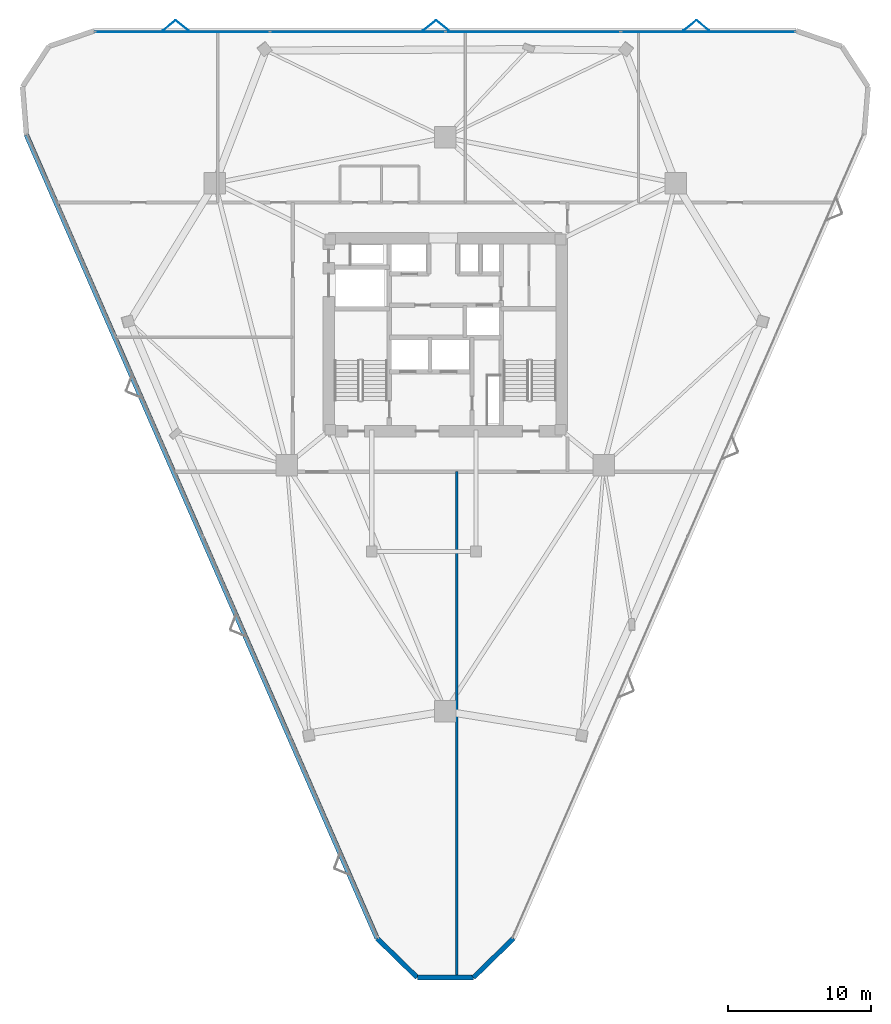
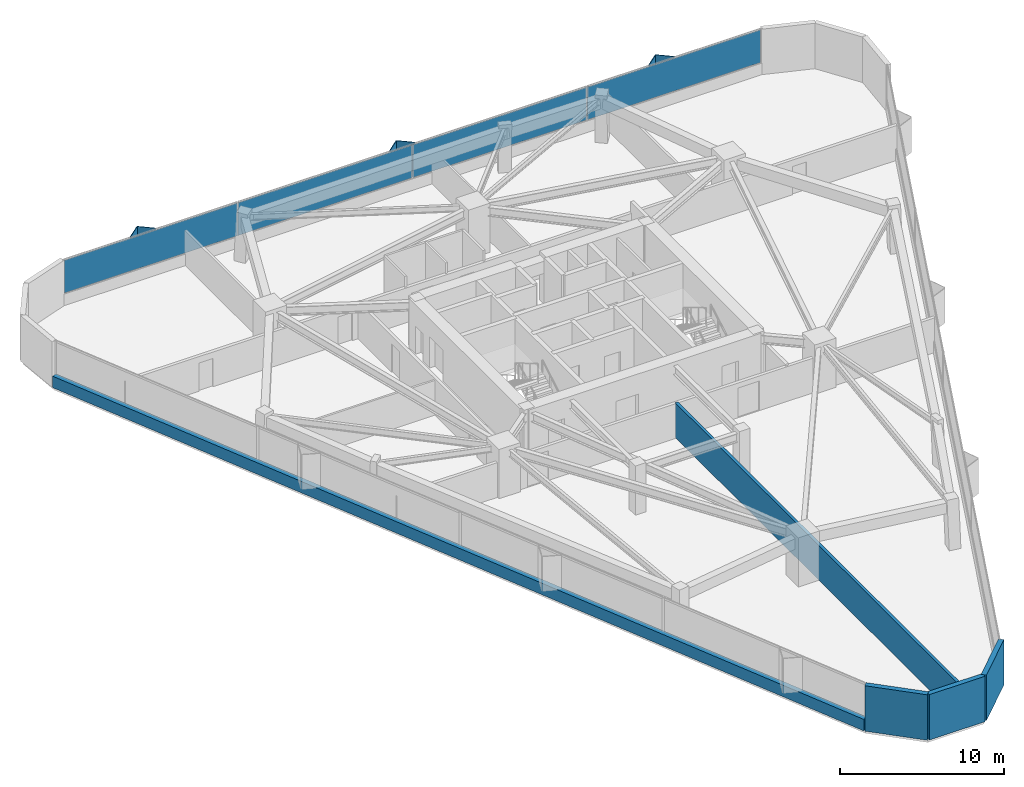
# One storey, part 11 of 14: 10 plates, 5 walls, 1 element without a shape of its own.
"""IFC4 building model written with IfcOpenShell, lengths in metres."""

from ifc_helpers import new_model, si_unit, direction, frame, frame_2d, origin, origin_2d, place, context, subcontext, project, spatial, rectangle, extrude, material, layer, layer_set, type_object, element, aggregate, save


model = new_model("IFC4")

# Units and contexts
model_context = context("Model", 3, precision=1e-05, world=origin(), true_north=direction((0.0, 1.0)))
body_context = subcontext(model_context, "Body", "Model", "MODEL_VIEW")
ifc_project = project(units=[si_unit("LENGTHUNIT", "METRE"), si_unit("AREAUNIT", "SQUARE_METRE"), si_unit("VOLUMEUNIT", "CUBIC_METRE"), si_unit("PLANEANGLEUNIT", "RADIAN"), si_unit("MASSUNIT", "GRAM", prefix="KILO")], contexts=[model_context])

# Site, building, storey
site_placement = place(None, origin())
site = spatial("IfcSite", under=ifc_project, at=site_placement, CompositionType="ELEMENT")
building_placement = place(site_placement, origin())
building = spatial("IfcBuilding", under=site, at=building_placement, Name="Talyreon Biosciences Tower", CompositionType="ELEMENT")
storey_placement = place(building_placement, frame((0.0, 0.0, 130.85009765625)))
storey = spatial("IfcBuildingStorey", under=building, at=storey_placement, Name="L34", CompositionType="ELEMENT", Elevation=130.85009765625)

# Curtain wall, plates
ifc_material_1 = material(Name="Thermally broken aluminium and low-E glazing", Category="aluminium")
ifc_layer_1 = layer(ifc_material_1, 0.18505859375)
ifc_layer_set_1 = layer_set([ifc_layer_1], Name="Thermally broken aluminium and low-E glazing")
curtain_wall_type = type_object("IfcCurtainWallType", Name="CurtainWall_Zone3Bioprocess", PredefinedType="NOTDEFINED", material=ifc_layer_set_1)
curtain_wall_placement = place(storey_placement, origin())
curtain_wall = element("IfcCurtainWall", 1, at=curtain_wall_placement, inside=storey, type_object=curtain_wall_type, Name="L34 Unitised Curtain Wall FCW-L34-04", PredefinedType="NOTDEFINED")
ifc_material_2 = material(Name="Triple-silver low-E insulated glazing", Category="glass")
ifc_layer_2 = layer(ifc_material_2, 0.031982421875)
ifc_layer_set_2 = layer_set([ifc_layer_2], Name="Triple-silver low-E insulated glazing")
plate_type_1 = type_object("IfcPlateType", Name="CWGlazingPanel_32", PredefinedType="CURTAIN_PANEL", material=ifc_layer_set_2)
plate_1_placement = place(storey_placement, frame((47.6240234375, 89.173095703125, 0.874755859375), z_axis=(0.0, 0.0, 1.0), x_axis=(1.0, 0.0, 0.0)))
plate_1 = element("IfcPlate", 2, at=plate_1_placement, type_object=plate_type_1, Name="CW4 panel 1.1", PredefinedType="CURTAIN_PANEL", context=body_context, shape_type="SweptSolid", body=[
    extrude(rectangle(XDim=12.1640625, YDim=0.031982421875, at=origin_2d()), origin(), (0.0, 0.0, 1.0), 2.43505859375),
])
plate_2_placement = place(storey_placement, frame((59.869140625, 89.173095703125, 0.874755859375), z_axis=(0.0, 0.0, 1.0), x_axis=(1.0, 0.0, 0.0)))
plate_2 = element("IfcPlate", 3, at=plate_2_placement, type_object=plate_type_1, Name="CW4 panel 2.1", PredefinedType="CURTAIN_PANEL", context=body_context, shape_type="SweptSolid", body=[
    extrude(rectangle(XDim=12.196533203125, YDim=0.031982421875, at=origin_2d()), origin(), (0.0, 0.0, 1.0), 2.43505859375),
])
plate_3_placement = place(storey_placement, frame((72.130859375, 89.173095703125, 0.874755859375), z_axis=(0.0, 0.0, 1.0), x_axis=(1.0, 0.0, 0.0)))
plate_3 = element("IfcPlate", 4, at=plate_3_placement, type_object=plate_type_1, Name="CW4 panel 3.1", PredefinedType="CURTAIN_PANEL", context=body_context, shape_type="SweptSolid", body=[
    extrude(rectangle(XDim=12.196533203125, YDim=0.031982421875, at=origin_2d()), origin(), (0.0, 0.0, 1.0), 2.43505859375),
])
plate_4_placement = place(storey_placement, frame((84.3759765625, 89.173095703125, 0.874755859375), z_axis=(0.0, 0.0, 1.0), x_axis=(1.0, 0.0, 0.0)))
plate_4 = element("IfcPlate", 5, at=plate_4_placement, type_object=plate_type_1, Name="CW4 panel 4.1", PredefinedType="CURTAIN_PANEL", context=body_context, shape_type="SweptSolid", body=[
    extrude(rectangle(XDim=12.1640625, YDim=0.031982421875, at=origin_2d()), origin(), (0.0, 0.0, 1.0), 2.43505859375),
])
aggregate(curtain_wall, [plate_1, plate_2, plate_3, plate_4])

# Plates
ifc_material_3 = material(Name="Ivory GFRC sunshade panel", Category="concrete")
ifc_layer_3 = layer(ifc_material_3, 0.044921875)
ifc_layer_set_3 = layer_set([ifc_layer_3], Name="Ivory GFRC sunshade panel")
plate_type_2 = type_object("IfcPlateType", Name="FoldedVSunshade_NorthFace_SUNSHADE", PredefinedType="USERDEFINED", material=ifc_layer_set_3)
for number, where, z_axis, x_axis, name in (
    (6, (46.697021484375, 89.613037109375, 0.7900390625), (0.0, 0.0, 1.0), (0.771624583388, 0.636078220278, 0.0), "L34 Folded V-Sunshade Panel 04.01L"),
    (7, (47.596923828125, 89.613037109375, 0.7900390625), (0.0, 0.0, 1.0), (0.771624583388, -0.636078220278, 0.0), "L34 Folded V-Sunshade Panel 04.01R"),
    (8, (64.89697265625, 89.613037109375, 0.7900390625), (0.0, 0.0, 1.0), (0.771624583388, 0.636078220278, 0.0), "L34 Folded V-Sunshade Panel 04.02L"),
    (9, (65.796875, 89.613037109375, 0.7900390625), (0.0, 0.0, 1.0), (0.771624583388, -0.636078220278, 0.0), "L34 Folded V-Sunshade Panel 04.02R"),
    (10, (83.096923828125, 89.613037109375, 0.7900390625), (0.0, 0.0, 1.0), (0.771624583388, 0.636078220278, 0.0), "L34 Folded V-Sunshade Panel 04.03L"),
    (11, (83.996826171875, 89.613037109375, 0.7900390625), (0.0, 0.0, 1.0), (0.771624583388, -0.636078220278, 0.0), "L34 Folded V-Sunshade Panel 04.03R"),
):
    element("IfcPlate", number, at=place(storey_placement, frame(where, z_axis=z_axis, x_axis=x_axis)), inside=storey, type_object=plate_type_2, Name=name, ObjectType="SUNSHADE", PredefinedType="USERDEFINED", context=body_context, shape_type="SweptSolid", body=[
        extrude(rectangle(XDim=1.14990234375, YDim=0.044921875, at=origin_2d()), origin(), (0.0, 0.0, 1.0), 2.5849609375),
    ])

# Walls
ifc_material_4 = material(Name="Gypsum fireboard acoustic stud", Category="gypsum")
ifc_layer_4 = layer(ifc_material_4, 0.199951171875)
ifc_layer_set_4 = layer_set([ifc_layer_4], Name="Gypsum fireboard acoustic stud")
wall_type_1 = type_object("IfcWallType", Name="ChemControlPartition_200", PredefinedType="PARTITIONING", material=ifc_layer_set_4)
wall_1_placement = place(storey_placement, frame((66.800048828125, 23.1416015625, 0.0), z_axis=(0.0, 0.0, 1.0), x_axis=(0.0, 1.0, 0.0)))
element("IfcWall", 12, at=wall_1_placement, inside=storey, type_object=wall_type_1, Name="L34 Interior Wall IW-L34-SDIV1", PredefinedType="PARTITIONING", context=body_context, shape_type="SweptSolid", body=[
    extrude(rectangle(XDim=35.2783203125, YDim=0.199951171875, at=frame_2d((17.63916015625, 0.0))), origin(), (0.0, 0.0, 1.0), 2.574951171875),
])
ifc_material_5 = material(Name="Precast concrete C45/55", Category="concrete")
ifc_layer_5 = layer(ifc_material_5, 0.340087890625)
ifc_layer_set_5 = layer_set([ifc_layer_5], Name="Precast concrete C45/55")
wall_type_2 = type_object("IfcWallType", Name="PrecastConcreteSpandrelWall_340", PredefinedType="STANDARD", material=ifc_layer_set_5)
wall_2_placement = place(storey_placement, frame((61.234375, 25.79296875, 0.0), z_axis=(0.0, 0.0, 1.0), x_axis=(-0.400059849946, 0.916489016007, 0.0)))
element("IfcWall", 13, at=wall_2_placement, inside=storey, type_object=wall_type_2, Name="L34 Expressed Concrete Sill Wall 00", PredefinedType="STANDARD", context=body_context, shape_type="SweptSolid", body=[
    extrude(rectangle(XDim=61.298828125, YDim=0.340087890625, at=frame_2d((30.6494140625, 0.0))), origin(), (0.0, 0.0, 1.0), 0.849853515625),
])
wall_3_placement = place(storey_placement, frame((70.765625, 25.79296875, 0.0), z_axis=(0.0, 0.0, 1.0), x_axis=(-0.715927743937, -0.69817438041, 0.0)))
element("IfcWall", 14, at=wall_3_placement, inside=storey, type_object=wall_type_2, Name="L34 Rounded-Corner Concrete Pier 09", PredefinedType="STANDARD", context=body_context, shape_type="SweptSolid", body=[
    extrude(rectangle(XDim=3.919189453125, YDim=0.340087890625, at=frame_2d((1.95947265625, 0.0))), origin(), (0.0, 0.0, 1.0), 3.375),
])
wall_4_placement = place(storey_placement, frame((67.959716796875, 23.056640625, 0.0), z_axis=(0.0, 0.0, 1.0), x_axis=(-1.0, 0.0, 0.0)))
element("IfcWall", 15, at=wall_4_placement, inside=storey, type_object=wall_type_2, Name="L34 Rounded-Corner Concrete Pier 10", PredefinedType="STANDARD", context=body_context, shape_type="SweptSolid", body=[
    extrude(rectangle(XDim=3.91943359375, YDim=0.340087890625, at=frame_2d((1.959716796875, 0.0))), origin(), (0.0, 0.0, 1.0), 3.375),
])
wall_5_placement = place(storey_placement, frame((64.040283203125, 23.056640625, 0.0), z_axis=(0.0, 0.0, 1.0), x_axis=(-0.715927743937, 0.69817438041, 0.0)))
element("IfcWall", 16, at=wall_5_placement, inside=storey, type_object=wall_type_2, Name="L34 Rounded-Corner Concrete Pier 11", PredefinedType="STANDARD", context=body_context, shape_type="SweptSolid", body=[
    extrude(rectangle(XDim=3.919189453125, YDim=0.340087890625, at=frame_2d((1.95947265625, 0.0))), origin(), (0.0, 0.0, 1.0), 3.375),
])

save(model, "model.ifc")
